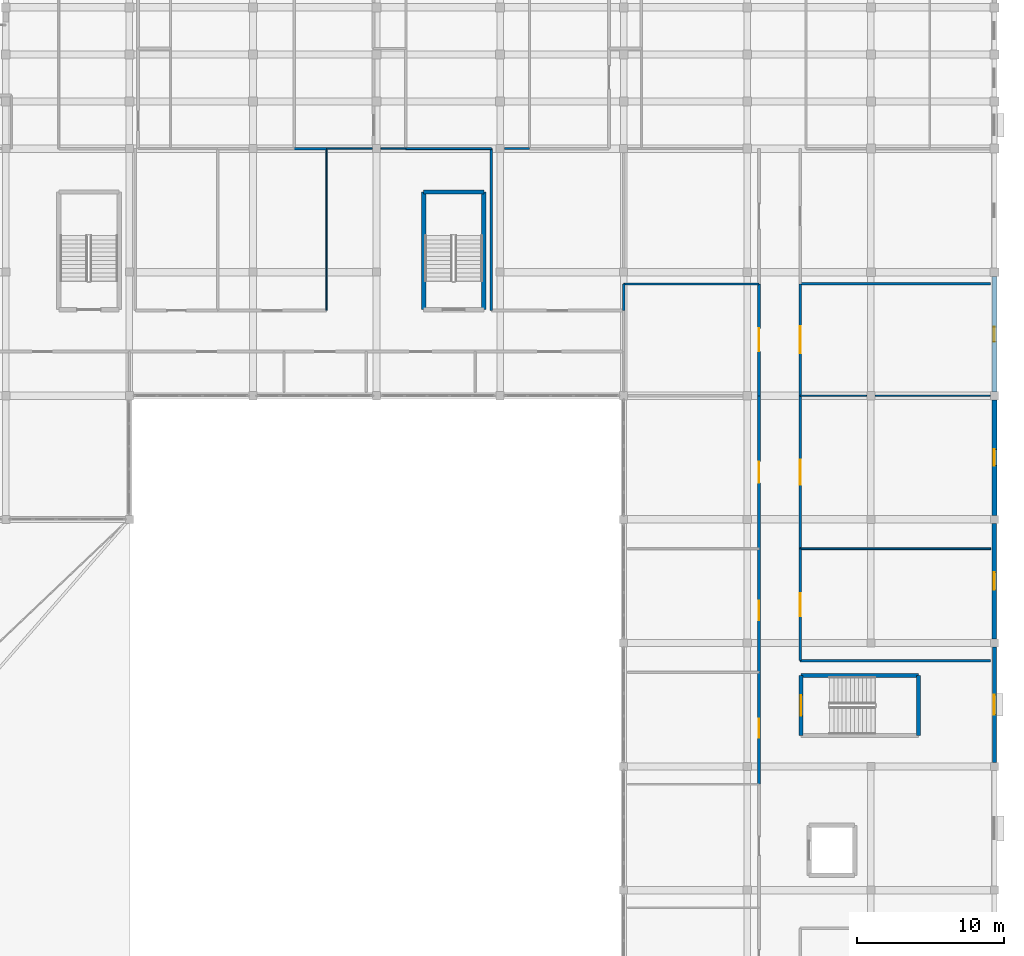
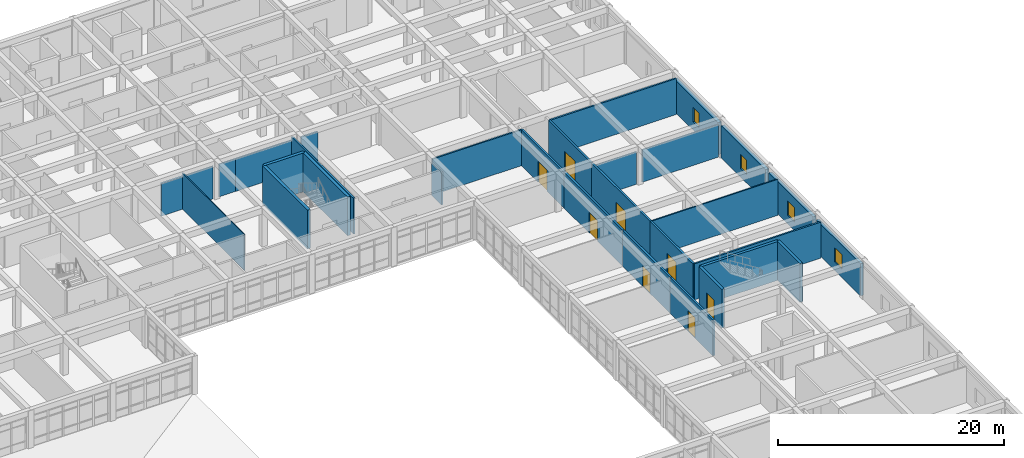
# One storey, part 57 of 77: 31 walls, 8 doors, 4 windows, 12 openings.
"""IFC4 building model written with IfcOpenShell, lengths in metres."""

from ifc_helpers import new_model, si_unit, direction, frame, frame_2d, origin, place, context, subcontext, project, spatial, rectangle, extrude, material, layer, layer_set, type_object, element, fill, save


model = new_model("IFC4")

# Units and contexts
model_context = context("Model", 3, precision=1e-05, world=origin(), true_north=direction((0.0, 1.0)))
body_context = subcontext(model_context, "Body", "Model", "MODEL_VIEW")
ifc_project = project(units=[si_unit("LENGTHUNIT", "METRE"), si_unit("AREAUNIT", "SQUARE_METRE"), si_unit("VOLUMEUNIT", "CUBIC_METRE"), si_unit("PLANEANGLEUNIT", "RADIAN"), si_unit("MASSUNIT", "GRAM", prefix="KILO")], contexts=[model_context])

# Site, building, storey
site_placement = place(None, origin())
site = spatial("IfcSite", under=ifc_project, at=site_placement, CompositionType="ELEMENT")
building_placement = place(site_placement, origin())
building = spatial("IfcBuilding", under=site, at=building_placement, Name="Varncliffe General Hospital", CompositionType="ELEMENT")
storey_placement = place(building_placement, frame((0.0, 0.0, 16.199951171875)))
storey = spatial("IfcBuildingStorey", under=building, at=storey_placement, Name="L03", CompositionType="ELEMENT", Elevation=16.199951171875)

# Wall, opening, window
ifc_material_1 = material(Name="Precast concrete C40/50 with insulated cream lime-cement stucco", Category="concrete")
ifc_layer_1 = layer(ifc_material_1, 0.31005859375)
ifc_layer_set_1 = layer_set([ifc_layer_1], Name="Precast concrete C40/50 with insulated cream lime-cement stucco")
wall_type_1 = type_object("IfcWallType", Name="Exterior Insulated Stucco Wall EW20 (310mm)", PredefinedType="SOLIDWALL", material=ifc_layer_set_1)
wall_1_placement = place(storey_placement, frame((176.39990234375, 74.126953125, 0.0), z_axis=(0.0, 0.0, 1.0), x_axis=(0.0, -1.0, 0.0)))
wall_1 = element("IfcWall", 1, at=wall_1_placement, inside=storey, type_object=wall_type_1, Name="L03 Exterior Stucco Wall EW20-266", PredefinedType="SOLIDWALL", context=body_context, shape_type="SweptSolid", body=[
    extrude(rectangle(XDim=7.85400390625, YDim=0.31005859375, at=frame_2d((3.927001953125, 0.0))), origin(), (0.0, 0.0, 1.0), 3.47998046875),
])
opening_1_placement = place(wall_1_placement, frame((3.326904296875, 0.0, 0.89990234375)))
opening_1 = element("IfcOpeningElement", 2, at=opening_1_placement, cuts=wall_1, Name="Opening WN33", PredefinedType="OPENING", context=body_context, shape_type="SweptSolid", body=[
    extrude(rectangle(XDim=1.199951171875, YDim=1.550048828125, at=frame_2d((0.60009765625, 0.77490234375))), frame((0.0, 0.1650390625, 0.0), z_axis=(0.0, -1.0, 0.0), x_axis=(1.0, 0.0, 0.0)), (0.0, 0.0, 1.0), 0.330078125),
])
ifc_material_2 = material(Name="Triple low-E argon insulated vision glazing", Category="glass")
window_type_1 = type_object("IfcWindowType", Name="Triple-Glazed Hospital Window WN33 (1200x1550)", PartitioningType="SINGLE_PANEL", PredefinedType="WINDOW", material=ifc_material_2)
window_1_placement = place(opening_1_placement, origin())
window_1 = element("IfcWindow", 3, at=window_1_placement, inside=storey, type_object=window_type_1, Name="L03 Hospital Window WN33-186", OverallHeight=1.550048828125, OverallWidth=1.199951171875, PartitioningType="SINGLE_PANEL", PredefinedType="WINDOW", context=body_context, shape_type="SweptSolid", body=[
    extrude(rectangle(XDim=1.199951171875, YDim=1.550048828125, at=frame_2d((0.60009765625, 0.77490234375))), frame((0.0, 0.030029296875, 0.0), z_axis=(0.0, -1.0, 0.0), x_axis=(1.0, 0.0, 0.0)), (0.0, 0.0, 1.0), 0.06005859375),
])
fill(opening_1, window_1)

ifc_layer_2 = layer(ifc_material_1, 0.2900390625)
ifc_layer_set_2 = layer_set([ifc_layer_2], Name="Precast concrete C40/50 with insulated cream lime-cement stucco")
wall_type_2 = type_object("IfcWallType", Name="Exterior Insulated Stucco Wall EW31 (290mm)", PredefinedType="SOLIDWALL", material=ifc_layer_set_2)
wall_2_placement = place(storey_placement, frame((176.39990234375, 65.72705078125, 0.0), z_axis=(0.0, 0.0, 1.0), x_axis=(0.0, -1.0, 0.0)))
wall_2 = element("IfcWall", 4, at=wall_2_placement, inside=storey, type_object=wall_type_2, Name="L03 Exterior Stucco Wall EW31-267", PredefinedType="SOLIDWALL", context=body_context, shape_type="SweptSolid", body=[
    extrude(rectangle(XDim=7.85400390625, YDim=0.2900390625, at=frame_2d((3.927001953125, 0.0))), origin(), (0.0, 0.0, 1.0), 3.47998046875),
])
opening_2_placement = place(wall_2_placement, frame((3.251953125, 0.0, 0.89990234375)))
opening_2 = element("IfcOpeningElement", 5, at=opening_2_placement, cuts=wall_2, Name="Opening WN24", PredefinedType="OPENING", context=body_context, shape_type="SweptSolid", body=[
    extrude(rectangle(XDim=1.35009765625, YDim=1.550048828125, at=frame_2d((0.675048828125, 0.77490234375))), frame((0.0, 0.155029296875, 0.0), z_axis=(0.0, -1.0, 0.0), x_axis=(1.0, 0.0, 0.0)), (0.0, 0.0, 1.0), 0.31005859375),
])
window_type_2 = type_object("IfcWindowType", Name="Triple-Glazed Hospital Window WN24 (1350x1550)", PartitioningType="SINGLE_PANEL", PredefinedType="WINDOW", material=ifc_material_2)
window_2_placement = place(opening_2_placement, origin())
window_2 = element("IfcWindow", 6, at=window_2_placement, inside=storey, type_object=window_type_2, Name="L03 Hospital Window WN24-187", OverallHeight=1.550048828125, OverallWidth=1.35009765625, PartitioningType="SINGLE_PANEL", PredefinedType="WINDOW", context=body_context, shape_type="SweptSolid", body=[
    extrude(rectangle(XDim=1.35009765625, YDim=1.550048828125, at=frame_2d((0.675048828125, 0.77490234375))), frame((0.0, 0.030029296875, 0.0), z_axis=(0.0, -1.0, 0.0), x_axis=(1.0, 0.0, 0.0)), (0.0, 0.0, 1.0), 0.06005859375),
])
fill(opening_2, window_2)

ifc_layer_3 = layer(ifc_material_1, 0.330078125)
ifc_layer_set_3 = layer_set([ifc_layer_3], Name="Precast concrete C40/50 with insulated cream lime-cement stucco")
wall_type_3 = type_object("IfcWallType", Name="Exterior Insulated Stucco Wall EW33 (330mm)", PredefinedType="SOLIDWALL", material=ifc_layer_set_3)
wall_3_placement = place(storey_placement, frame((176.39990234375, 82.527099609375, 0.0), z_axis=(0.0, 0.0, 1.0), x_axis=(0.0, -1.0, 0.0)))
wall_3 = element("IfcWall", 7, at=wall_3_placement, inside=storey, type_object=wall_type_3, Name="L03 Exterior Stucco Wall EW33-265", PredefinedType="SOLIDWALL", context=body_context, shape_type="SweptSolid", body=[
    extrude(rectangle(XDim=7.85400390625, YDim=0.330078125, at=frame_2d((3.927001953125, 0.0))), origin(), (0.0, 0.0, 1.0), 3.47998046875),
])
opening_3_placement = place(wall_3_placement, frame((3.376953125, 0.0, 0.89990234375)))
opening_3 = element("IfcOpeningElement", 8, at=opening_3_placement, cuts=wall_3, Name="Opening WN69", PredefinedType="OPENING", context=body_context, shape_type="SweptSolid", body=[
    extrude(rectangle(XDim=1.10009765625, YDim=1.550048828125, at=frame_2d((0.550048828125, 0.77490234375))), frame((0.0, 0.175048828125, 0.0), z_axis=(0.0, -1.0, 0.0), x_axis=(1.0, 0.0, 0.0)), (0.0, 0.0, 1.0), 0.35009765625),
])
window_type_3 = type_object("IfcWindowType", Name="Triple-Glazed Hospital Window WN69 (1100x1550)", PartitioningType="SINGLE_PANEL", PredefinedType="WINDOW", material=ifc_material_2)
window_3_placement = place(opening_3_placement, origin())
window_3 = element("IfcWindow", 9, at=window_3_placement, inside=storey, type_object=window_type_3, Name="L03 Hospital Window WN69-185", OverallHeight=1.550048828125, OverallWidth=1.10009765625, PartitioningType="SINGLE_PANEL", PredefinedType="WINDOW", context=body_context, shape_type="SweptSolid", body=[
    extrude(rectangle(XDim=1.10009765625, YDim=1.550048828125, at=frame_2d((0.550048828125, 0.77490234375))), frame((0.0, 0.030029296875, 0.0), z_axis=(0.0, -1.0, 0.0), x_axis=(1.0, 0.0, 0.0)), (0.0, 0.0, 1.0), 0.06005859375),
])
fill(opening_3, window_3)

ifc_layer_4 = layer(ifc_material_1, 0.35009765625)
ifc_layer_set_4 = layer_set([ifc_layer_4], Name="Precast concrete C40/50 with insulated cream lime-cement stucco")
wall_type_4 = type_object("IfcWallType", Name="Exterior Insulated Stucco Wall EW37 (350mm)", PredefinedType="SOLIDWALL", material=ifc_layer_set_4)
wall_4_placement = place(storey_placement, frame((176.39990234375, 90.902099609375, 0.0), z_axis=(0.0, 0.0, 1.0), x_axis=(0.0, -1.0, 0.0)))
wall_4 = element("IfcWall", 10, at=wall_4_placement, inside=storey, type_object=wall_type_4, Name="L03 Exterior Stucco Wall EW37-264", PredefinedType="SOLIDWALL", context=body_context, shape_type="SweptSolid", body=[
    extrude(rectangle(XDim=7.8291015625, YDim=0.35009765625, at=frame_2d((3.91455078125, 0.0))), origin(), (0.0, 0.0, 1.0), 3.47998046875),
])
opening_4_placement = place(wall_4_placement, frame((3.41455078125, 0.0, 0.89990234375)))
opening_4 = element("IfcOpeningElement", 11, at=opening_4_placement, cuts=wall_4, Name="Opening WN21", PredefinedType="OPENING", context=body_context, shape_type="SweptSolid", body=[
    extrude(rectangle(XDim=1.0, YDim=1.550048828125, at=frame_2d((0.5, 0.77490234375))), frame((0.0, 0.18505859375, 0.0), z_axis=(0.0, -1.0, 0.0), x_axis=(1.0, 0.0, 0.0)), (0.0, 0.0, 1.0), 0.3701171875),
])
window_type_4 = type_object("IfcWindowType", Name="Triple-Glazed Hospital Window WN21 (1000x1550)", PartitioningType="SINGLE_PANEL", PredefinedType="WINDOW", material=ifc_material_2)
window_4_placement = place(opening_4_placement, origin())
window_4 = element("IfcWindow", 12, at=window_4_placement, inside=storey, type_object=window_type_4, Name="L03 Hospital Window WN21-184", OverallHeight=1.550048828125, OverallWidth=1.0, PartitioningType="SINGLE_PANEL", PredefinedType="WINDOW", context=body_context, shape_type="SweptSolid", body=[
    extrude(rectangle(XDim=1.0, YDim=1.550048828125, at=frame_2d((0.5, 0.77490234375))), frame((0.0, 0.030029296875, 0.0), z_axis=(0.0, -1.0, 0.0), x_axis=(1.0, 0.0, 0.0)), (0.0, 0.0, 1.0), 0.06005859375),
])
fill(opening_4, window_4)

# Walls
ifc_material_3 = material(Name="Acoustic clinical gypsum stud partition assembly", Category="gypsum")
ifc_layer_5 = layer(ifc_material_3, 0.1298828125)
ifc_layer_set_5 = layer_set([ifc_layer_5], Name="Acoustic clinical gypsum stud partition assembly")
wall_type_5 = type_object("IfcWallType", Name="Interior Partitioning IW11 (130mm)", PredefinedType="PARTITIONING", material=ifc_layer_set_5)
wall_5_placement = place(storey_placement, frame((163.199951171875, 72.39990234375, 0.0), z_axis=(0.0, 0.0, 1.0), x_axis=(1.0, 0.0, 0.0)))
element("IfcWall", 13, at=wall_5_placement, inside=storey, type_object=wall_type_5, Name="L03 Interior Partition Wall IW11-1353", PredefinedType="PARTITIONING", context=body_context, shape_type="SweptSolid", body=[
    extrude(rectangle(XDim=12.93994140625, YDim=0.1298828125, at=frame_2d((6.469970703125, 0.0))), origin(), (0.0, 0.0, 1.0), 3.89013671875),
])
wall_6_placement = place(storey_placement, frame((136.39990234375, 99.60009765625, 0.0), z_axis=(0.0, 0.0, 1.0), x_axis=(1.0, 0.0, 0.0)))
element("IfcWall", 14, at=wall_6_placement, inside=storey, type_object=wall_type_5, Name="L03 Interior Partition Wall IW11-1438", PredefinedType="PARTITIONING", context=body_context, shape_type="SweptSolid", body=[
    extrude(rectangle(XDim=5.800048828125, YDim=0.1298828125, at=frame_2d((2.89990234375, 0.0))), origin(), (0.0, 0.0, 1.0), 3.53515625),
])
ifc_layer_6 = layer(ifc_material_3, 0.169921875)
ifc_layer_set_6 = layer_set([ifc_layer_6], Name="Acoustic clinical gypsum stud partition assembly")
wall_type_6 = type_object("IfcWallType", Name="Interior Partitioning IW20 (170mm)", PredefinedType="PARTITIONING", material=ifc_layer_set_6)
for number, where, z_axis, x_axis, name in (
    (15, (163.199951171875, 64.800048828125, 0.0), (0.0, 0.0, 1.0), (1.0, 0.0, 0.0), "L03 Interior Partition Wall IW20-1350"),
    (16, (163.199951171875, 90.39990234375, 0.0), (0.0, 0.0, 1.0), (1.0, 0.0, 0.0), "L03 Interior Partition Wall IW20-1395"),
):
    element("IfcWall", number, at=place(storey_placement, frame(where, z_axis=z_axis, x_axis=x_axis)), inside=storey, type_object=wall_type_6, Name=name, PredefinedType="PARTITIONING", context=body_context, shape_type="SweptSolid", body=[
        extrude(rectangle(XDim=12.93994140625, YDim=0.169921875, at=frame_2d((6.469970703125, 0.0))), origin(), (0.0, 0.0, 1.0), 3.89013671875),
    ])
wall_7_placement = place(storey_placement, frame((128.800048828125, 99.60009765625, 0.0), z_axis=(0.0, 0.0, 1.0), x_axis=(1.0, 0.0, 0.0)))
element("IfcWall", 17, at=wall_7_placement, inside=storey, type_object=wall_type_6, Name="L03 Interior Partition Wall IW20-1435", PredefinedType="PARTITIONING", context=body_context, shape_type="SweptSolid", body=[
    extrude(rectangle(XDim=2.199951171875, YDim=0.169921875, at=frame_2d((1.10009765625, 0.0))), origin(), (0.0, 0.0, 1.0), 3.53515625),
])
wall_8_placement = place(storey_placement, frame((142.199951171875, 88.60009765625, 0.0), z_axis=(0.0, 0.0, 1.0), x_axis=(0.0, 1.0, 0.0)))
element("IfcWall", 18, at=wall_8_placement, inside=storey, type_object=wall_type_6, Name="L03 Interior Partition Wall IW20-1625", PredefinedType="PARTITIONING", context=body_context, shape_type="SweptSolid", body=[
    extrude(rectangle(XDim=11.0, YDim=0.169921875, at=frame_2d((5.5, 0.0))), origin(), (0.0, 0.0, 1.0), 3.89013671875),
])
ifc_layer_7 = layer(ifc_material_3, 0.14990234375)
ifc_layer_set_7 = layer_set([ifc_layer_7], Name="Acoustic clinical gypsum stud partition assembly")
wall_type_7 = type_object("IfcWallType", Name="Interior Partitioning IW35 (150mm)", PredefinedType="PARTITIONING", material=ifc_layer_set_7)
wall_9_placement = place(storey_placement, frame((151.199951171875, 90.39990234375, 0.0), z_axis=(0.0, 0.0, 1.0), x_axis=(1.0, 0.0, 0.0)))
element("IfcWall", 19, at=wall_9_placement, inside=storey, type_object=wall_type_7, Name="L03 Interior Partition Wall IW35-1394", PredefinedType="PARTITIONING", context=body_context, shape_type="SweptSolid", body=[
    extrude(rectangle(XDim=9.199951171875, YDim=0.14990234375, at=frame_2d((4.60009765625, 0.0))), origin(), (0.0, 0.0, 1.0), 3.89013671875),
])
wall_10_placement = place(storey_placement, frame((143.090087890625, 99.60009765625, 0.0), z_axis=(0.0, 0.0, 1.0), x_axis=(1.0, 0.0, 0.0)))
element("IfcWall", 20, at=wall_10_placement, inside=storey, type_object=wall_type_7, Name="L03 Interior Partition Wall IW35-1439", PredefinedType="PARTITIONING", context=body_context, shape_type="SweptSolid", body=[
    extrude(rectangle(XDim=1.7099609375, YDim=0.14990234375, at=frame_2d((0.85498046875, 0.0))), origin(), (0.0, 0.0, 1.0), 3.53515625),
])
wall_11_placement = place(storey_placement, frame((151.199951171875, 88.60009765625, 0.0), z_axis=(0.0, 0.0, 1.0), x_axis=(0.0, 1.0, 0.0)))
element("IfcWall", 21, at=wall_11_placement, inside=storey, type_object=wall_type_7, Name="L03 Interior Partition Wall IW35-1639", PredefinedType="PARTITIONING", context=body_context, shape_type="SweptSolid", body=[
    extrude(rectangle(XDim=1.7998046875, YDim=0.14990234375, at=frame_2d((0.89990234375, 0.0))), origin(), (0.0, 0.0, 1.0), 3.5849609375),
])
ifc_layer_8 = layer(ifc_material_3, 0.090087890625)
ifc_layer_set_8 = layer_set([ifc_layer_8], Name="Acoustic clinical gypsum stud partition assembly")
wall_type_8 = type_object("IfcWallType", Name="Interior Partitioning IW42 (90mm)", PredefinedType="PARTITIONING", material=ifc_layer_set_8)
wall_12_placement = place(storey_placement, frame((168.2900390625, 82.800048828125, 0.0), z_axis=(0.0, 0.0, 1.0), x_axis=(1.0, 0.0, 0.0)))
element("IfcWall", 22, at=wall_12_placement, inside=storey, type_object=wall_type_8, Name="L03 Interior Partition Wall IW42-1361", PredefinedType="PARTITIONING", context=body_context, shape_type="SweptSolid", body=[
    extrude(rectangle(XDim=7.820068359375, YDim=0.090087890625, at=frame_2d((3.91015625, 0.0))), origin(), (0.0, 0.0, 1.0), 3.53515625),
])
wall_13_placement = place(storey_placement, frame((163.199951171875, 82.800048828125, 0.0), z_axis=(0.0, 0.0, 1.0), x_axis=(1.0, 0.0, 0.0)))
element("IfcWall", 23, at=wall_13_placement, inside=storey, type_object=wall_type_8, Name="L03 Interior Partition Wall IW42-1362", PredefinedType="PARTITIONING", context=body_context, shape_type="SweptSolid", body=[
    extrude(rectangle(XDim=4.510009765625, YDim=0.090087890625, at=frame_2d((2.2548828125, 0.0))), origin(), (0.0, 0.0, 1.0), 3.53515625),
])
wall_14_placement = place(storey_placement, frame((131.0, 99.60009765625, 0.0), z_axis=(0.0, 0.0, 1.0), x_axis=(1.0, 0.0, 0.0)))
element("IfcWall", 24, at=wall_14_placement, inside=storey, type_object=wall_type_8, Name="L03 Interior Partition Wall IW42-1436", PredefinedType="PARTITIONING", context=body_context, shape_type="SweptSolid", body=[
    extrude(rectangle(XDim=3.110107421875, YDim=0.090087890625, at=frame_2d((1.55517578125, 0.0))), origin(), (0.0, 0.0, 1.0), 3.53515625),
])
wall_15_placement = place(storey_placement, frame((131.0, 88.60009765625, 0.0), z_axis=(0.0, 0.0, 1.0), x_axis=(0.0, 1.0, 0.0)))
element("IfcWall", 25, at=wall_15_placement, inside=storey, type_object=wall_type_8, Name="L03 Interior Partition Wall IW42-1611", PredefinedType="PARTITIONING", context=body_context, shape_type="SweptSolid", body=[
    extrude(rectangle(XDim=11.0, YDim=0.090087890625, at=frame_2d((5.5, 0.0))), origin(), (0.0, 0.0, 1.0), 3.89013671875),
])
ifc_layer_9 = layer(ifc_material_3, 0.110107421875)
ifc_layer_set_9 = layer_set([ifc_layer_9], Name="Acoustic clinical gypsum stud partition assembly")
wall_type_9 = type_object("IfcWallType", Name="Interior Partitioning IW65 (110mm)", PredefinedType="PARTITIONING", material=ifc_layer_set_9)
wall_16_placement = place(storey_placement, frame((134.68994140625, 99.60009765625, 0.0), z_axis=(0.0, 0.0, 1.0), x_axis=(1.0, 0.0, 0.0)))
element("IfcWall", 26, at=wall_16_placement, inside=storey, type_object=wall_type_9, Name="L03 Interior Partition Wall IW65-1437", PredefinedType="PARTITIONING", context=body_context, shape_type="SweptSolid", body=[
    extrude(rectangle(XDim=1.7099609375, YDim=0.110107421875, at=frame_2d((0.85498046875, 0.0))), origin(), (0.0, 0.0, 1.0), 3.53515625),
])

# Wall, opening, door
ifc_material_4 = material(Name="Fire-rated gypsum and mineral-wool partition assembly", Category="gypsum")
ifc_layer_10 = layer(ifc_material_4, 0.199951171875)
ifc_layer_set_10 = layer_set([ifc_layer_10], Name="Fire-rated gypsum and mineral-wool partition assembly")
wall_type_10 = type_object("IfcWallType", Name="Interior Partitioning PW63 (200mm)", PredefinedType="PARTITIONING", material=ifc_layer_set_10)
wall_17_placement = place(storey_placement, frame((160.39990234375, 56.39990234375, 0.0), z_axis=(0.0, 0.0, 1.0), x_axis=(0.0, 1.0, 0.0)))
wall_17 = element("IfcWall", 27, at=wall_17_placement, inside=storey, type_object=wall_type_10, Name="L03 Interior Partition Wall PW63-1655", PredefinedType="PARTITIONING", context=body_context, shape_type="SweptSolid", body=[
    extrude(rectangle(XDim=7.60009765625, YDim=0.199951171875, at=frame_2d((3.800048828125, 0.0))), origin(), (0.0, 0.0, 1.0), 3.89013671875),
])
opening_5_placement = place(wall_17_placement, frame((3.14990234375, 0.0, 0.0)))
opening_5 = element("IfcOpeningElement", 28, at=opening_5_placement, cuts=wall_17, Name="Opening DC88", PredefinedType="OPENING", context=body_context, shape_type="SweptSolid", body=[
    extrude(rectangle(XDim=1.300048828125, YDim=2.199951171875, at=frame_2d((0.64990234375, 1.10009765625))), frame((0.0, 0.10986328125, 0.0), z_axis=(0.0, -1.0, 0.0), x_axis=(1.0, 0.0, 0.0)), (0.0, 0.0, 1.0), 0.219970703125),
])
ifc_material_5 = material(Name="Fire-rated hospital steel-frame vision-panel door", Category="steel")
door_type_1 = type_object("IfcDoorType", Name="Interior Hospital Door DC88 (1300x2200)", OperationType="NOTDEFINED", PredefinedType="DOOR", material=ifc_material_5)
door_1_placement = place(opening_5_placement, origin())
door_1 = element("IfcDoor", 29, at=door_1_placement, inside=storey, type_object=door_type_1, Name="L03 Renal Dialysis Treatment Bay 82 Door", OperationType="SINGLE_SWING_RIGHT", OverallHeight=2.199951171875, OverallWidth=1.300048828125, PredefinedType="DOOR", context=body_context, shape_type="SweptSolid", body=[
    extrude(rectangle(XDim=1.300048828125, YDim=2.199951171875, at=frame_2d((0.64990234375, 1.10009765625))), frame((0.0, 0.02490234375, 0.0), z_axis=(0.0, -1.0, 0.0), x_axis=(1.0, 0.0, 0.0)), (0.0, 0.0, 1.0), 0.050048828125),
])
fill(opening_5, door_1)

wall_18_placement = place(storey_placement, frame((160.39990234375, 64.0, 0.0), z_axis=(0.0, 0.0, 1.0), x_axis=(0.0, 1.0, 0.0)))
wall_18 = element("IfcWall", 30, at=wall_18_placement, inside=storey, type_object=wall_type_10, Name="L03 Interior Partition Wall PW63-1656", PredefinedType="PARTITIONING", context=body_context, shape_type="SweptSolid", body=[
    extrude(rectangle(XDim=8.39990234375, YDim=0.199951171875, at=frame_2d((4.199951171875, 0.0))), origin(), (0.0, 0.0, 1.0), 3.89013671875),
])
opening_6_placement = place(wall_18_placement, frame((3.52490234375, 0.0, 0.0)))
opening_6 = element("IfcOpeningElement", 31, at=opening_6_placement, cuts=wall_18, Name="Opening DC85", PredefinedType="OPENING", context=body_context, shape_type="SweptSolid", body=[
    extrude(rectangle(XDim=1.35009765625, YDim=2.199951171875, at=frame_2d((0.675048828125, 1.10009765625))), frame((0.0, 0.10986328125, 0.0), z_axis=(0.0, -1.0, 0.0), x_axis=(1.0, 0.0, 0.0)), (0.0, 0.0, 1.0), 0.219970703125),
])
door_type_2 = type_object("IfcDoorType", Name="Interior Hospital Door DC85 (1350x2200)", OperationType="NOTDEFINED", PredefinedType="DOOR", material=ifc_material_5)
door_2_placement = place(opening_6_placement, origin())
door_2 = element("IfcDoor", 32, at=door_2_placement, inside=storey, type_object=door_type_2, Name="L03 Oncology Chemotherapy Infusion Suite 83 Door", OperationType="SINGLE_SWING_LEFT", OverallHeight=2.199951171875, OverallWidth=1.35009765625, PredefinedType="DOOR", context=body_context, shape_type="SweptSolid", body=[
    extrude(rectangle(XDim=1.35009765625, YDim=2.199951171875, at=frame_2d((0.675048828125, 1.10009765625))), frame((0.0, 0.02490234375, 0.0), z_axis=(0.0, -1.0, 0.0), x_axis=(1.0, 0.0, 0.0)), (0.0, 0.0, 1.0), 0.050048828125),
])
fill(opening_6, door_2)

wall_19_placement = place(storey_placement, frame((160.39990234375, 72.39990234375, 0.0), z_axis=(0.0, 0.0, 1.0), x_axis=(0.0, 1.0, 0.0)))
wall_19 = element("IfcWall", 33, at=wall_19_placement, inside=storey, type_object=wall_type_10, Name="L03 Interior Partition Wall PW63-1657", PredefinedType="PARTITIONING", context=body_context, shape_type="SweptSolid", body=[
    extrude(rectangle(XDim=10.400146484375, YDim=0.199951171875, at=frame_2d((5.2001953125, 0.0))), origin(), (0.0, 0.0, 1.0), 3.89013671875),
])
opening_7_placement = place(wall_19_placement, frame((4.47509765625, 0.0, 0.0)))
opening_7 = element("IfcOpeningElement", 34, at=opening_7_placement, cuts=wall_19, Name="Opening DC66", PredefinedType="OPENING", context=body_context, shape_type="SweptSolid", body=[
    extrude(rectangle(XDim=1.449951171875, YDim=2.25, at=frame_2d((0.72509765625, 1.125))), frame((0.0, 0.10986328125, 0.0), z_axis=(0.0, -1.0, 0.0), x_axis=(1.0, 0.0, 0.0)), (0.0, 0.0, 1.0), 0.219970703125),
])
door_type_3 = type_object("IfcDoorType", Name="Interior Hospital Door DC66 (1450x2250)", OperationType="NOTDEFINED", PredefinedType="DOOR", material=ifc_material_5)
door_3_placement = place(opening_7_placement, origin())
door_3 = element("IfcDoor", 35, at=door_3_placement, inside=storey, type_object=door_type_3, Name="L03 Renal Dialysis Treatment Bay 84 Door", OperationType="SINGLE_SWING_RIGHT", OverallHeight=2.25, OverallWidth=1.449951171875, PredefinedType="DOOR", context=body_context, shape_type="SweptSolid", body=[
    extrude(rectangle(XDim=1.449951171875, YDim=2.25, at=frame_2d((0.72509765625, 1.125))), frame((0.0, 0.02490234375, 0.0), z_axis=(0.0, -1.0, 0.0), x_axis=(1.0, 0.0, 0.0)), (0.0, 0.0, 1.0), 0.050048828125),
])
fill(opening_7, door_3)

wall_20_placement = place(storey_placement, frame((160.39990234375, 82.800048828125, 0.0), z_axis=(0.0, 0.0, 1.0), x_axis=(0.0, 1.0, 0.0)))
wall_20 = element("IfcWall", 36, at=wall_20_placement, inside=storey, type_object=wall_type_10, Name="L03 Interior Partition Wall PW63-1658", PredefinedType="PARTITIONING", context=body_context, shape_type="SweptSolid", body=[
    extrude(rectangle(XDim=7.599853515625, YDim=0.199951171875, at=frame_2d((3.7998046875, 0.0))), origin(), (0.0, 0.0, 1.0), 3.89013671875),
])
opening_8_placement = place(wall_20_placement, frame((3.02490234375, 0.0, 0.0)))
opening_8 = element("IfcOpeningElement", 37, at=opening_8_placement, cuts=wall_20, Name="Opening DC67", PredefinedType="OPENING", context=body_context, shape_type="SweptSolid", body=[
    extrude(rectangle(XDim=1.550048828125, YDim=2.25, at=frame_2d((0.77490234375, 1.125))), frame((0.0, 0.10986328125, 0.0), z_axis=(0.0, -1.0, 0.0), x_axis=(1.0, 0.0, 0.0)), (0.0, 0.0, 1.0), 0.219970703125),
])
door_type_4 = type_object("IfcDoorType", Name="Interior Hospital Door DC67 (1550x2250)", OperationType="NOTDEFINED", PredefinedType="DOOR", material=ifc_material_5)
door_4_placement = place(opening_8_placement, origin())
door_4 = element("IfcDoor", 38, at=door_4_placement, inside=storey, type_object=door_type_4, Name="L03 Orthopaedic Inpatient Ward Suite 143 Door", OperationType="SINGLE_SWING_LEFT", OverallHeight=2.25, OverallWidth=1.550048828125, PredefinedType="DOOR", context=body_context, shape_type="SweptSolid", body=[
    extrude(rectangle(XDim=1.550048828125, YDim=2.25, at=frame_2d((0.77490234375, 1.125))), frame((0.0, 0.02490234375, 0.0), z_axis=(0.0, -1.0, 0.0), x_axis=(1.0, 0.0, 0.0)), (0.0, 0.0, 1.0), 0.050048828125),
])
fill(opening_8, door_4)

wall_21_placement = place(storey_placement, frame((163.199951171875, 64.800048828125, 0.0), z_axis=(0.0, 0.0, 1.0), x_axis=(0.0, 1.0, 0.0)))
wall_21 = element("IfcWall", 39, at=wall_21_placement, inside=storey, type_object=wall_type_10, Name="L03 Interior Partition Wall PW63-1665", PredefinedType="PARTITIONING", context=body_context, shape_type="SweptSolid", body=[
    extrude(rectangle(XDim=7.599853515625, YDim=0.199951171875, at=frame_2d((3.7998046875, 0.0))), origin(), (0.0, 0.0, 1.0), 3.89013671875),
])
opening_9_placement = place(wall_21_placement, frame((3.02490234375, 0.0, 0.0)))
opening_9 = element("IfcOpeningElement", 40, at=opening_9_placement, cuts=wall_21, Name="Opening DC67", PredefinedType="OPENING", context=body_context, shape_type="SweptSolid", body=[
    extrude(rectangle(XDim=1.550048828125, YDim=2.25, at=frame_2d((0.77490234375, 1.125))), frame((0.0, 0.10986328125, 0.0), z_axis=(0.0, -1.0, 0.0), x_axis=(1.0, 0.0, 0.0)), (0.0, 0.0, 1.0), 0.219970703125),
])
door_5_placement = place(opening_9_placement, frame((1.550048828125, 0.0, 0.0), z_axis=(0.0, 0.0, 1.0), x_axis=(-1.0, 0.0, 0.0)))
door_5 = element("IfcDoor", 41, at=door_5_placement, inside=storey, type_object=door_type_4, Name="L03 Renal Dialysis Treatment Bay 90 Door", OperationType="SINGLE_SWING_RIGHT", OverallHeight=2.25, OverallWidth=1.550048828125, PredefinedType="DOOR", context=body_context, shape_type="SweptSolid", body=[
    extrude(rectangle(XDim=1.550048828125, YDim=2.25, at=frame_2d((0.77490234375, 1.125))), frame((0.0, 0.02490234375, 0.0), z_axis=(0.0, -1.0, 0.0), x_axis=(1.0, 0.0, 0.0)), (0.0, 0.0, 1.0), 0.050048828125),
])
fill(opening_9, door_5)

wall_22_placement = place(storey_placement, frame((163.199951171875, 72.39990234375, 0.0), z_axis=(0.0, 0.0, 1.0), x_axis=(0.0, 1.0, 0.0)))
wall_22 = element("IfcWall", 42, at=wall_22_placement, inside=storey, type_object=wall_type_10, Name="L03 Interior Partition Wall PW63-1666", PredefinedType="PARTITIONING", context=body_context, shape_type="SweptSolid", body=[
    extrude(rectangle(XDim=10.400146484375, YDim=0.199951171875, at=frame_2d((5.2001953125, 0.0))), origin(), (0.0, 0.0, 1.0), 3.89013671875),
])
opening_10_placement = place(wall_22_placement, frame((4.35009765625, 0.0, 0.0)))
opening_10 = element("IfcOpeningElement", 43, at=opening_10_placement, cuts=wall_22, Name="Opening DC50", PredefinedType="OPENING", context=body_context, shape_type="SweptSolid", body=[
    extrude(rectangle(XDim=1.699951171875, YDim=2.300048828125, at=frame_2d((0.85009765625, 1.14990234375))), frame((0.0, 0.10986328125, 0.0), z_axis=(0.0, -1.0, 0.0), x_axis=(1.0, 0.0, 0.0)), (0.0, 0.0, 1.0), 0.219970703125),
])
door_type_5 = type_object("IfcDoorType", Name="Interior Hospital Door DC50 (1700x2300)", OperationType="NOTDEFINED", PredefinedType="DOOR", material=ifc_material_5)
door_6_placement = place(opening_10_placement, frame((1.699951171875, 0.0, 0.0), z_axis=(0.0, 0.0, 1.0), x_axis=(-1.0, 0.0, 0.0)))
door_6 = element("IfcDoor", 44, at=door_6_placement, inside=storey, type_object=door_type_5, Name="L03 Oncology Chemotherapy Infusion Suite 91 Door", OperationType="SINGLE_SWING_LEFT", OverallHeight=2.300048828125, OverallWidth=1.699951171875, PredefinedType="DOOR", context=body_context, shape_type="SweptSolid", body=[
    extrude(rectangle(XDim=1.699951171875, YDim=2.300048828125, at=frame_2d((0.85009765625, 1.14990234375))), frame((0.0, 0.02490234375, 0.0), z_axis=(0.0, -1.0, 0.0), x_axis=(1.0, 0.0, 0.0)), (0.0, 0.0, 1.0), 0.050048828125),
])
fill(opening_10, door_6)

wall_23_placement = place(storey_placement, frame((163.199951171875, 82.800048828125, 0.0), z_axis=(0.0, 0.0, 1.0), x_axis=(0.0, 1.0, 0.0)))
wall_23 = element("IfcWall", 45, at=wall_23_placement, inside=storey, type_object=wall_type_10, Name="L03 Interior Partition Wall PW63-1667", PredefinedType="PARTITIONING", context=body_context, shape_type="SweptSolid", body=[
    extrude(rectangle(XDim=7.599853515625, YDim=0.199951171875, at=frame_2d((3.7998046875, 0.0))), origin(), (0.0, 0.0, 1.0), 3.89013671875),
])
opening_11_placement = place(wall_23_placement, frame((2.875, 0.0, 0.0)))
opening_11 = element("IfcOpeningElement", 46, at=opening_11_placement, cuts=wall_23, Name="Opening DC38", PredefinedType="OPENING", context=body_context, shape_type="SweptSolid", body=[
    extrude(rectangle(XDim=1.85009765625, YDim=2.300048828125, at=frame_2d((0.925048828125, 1.14990234375))), frame((0.0, 0.10986328125, 0.0), z_axis=(0.0, -1.0, 0.0), x_axis=(1.0, 0.0, 0.0)), (0.0, 0.0, 1.0), 0.219970703125),
])
door_type_6 = type_object("IfcDoorType", Name="Interior Hospital Door DC38 (1850x2300)", OperationType="NOTDEFINED", PredefinedType="DOOR", material=ifc_material_5)
door_7_placement = place(opening_11_placement, frame((1.85009765625, 0.0, 0.0), z_axis=(0.0, 0.0, 1.0), x_axis=(-1.0, 0.0, 0.0)))
door_7 = element("IfcDoor", 47, at=door_7_placement, inside=storey, type_object=door_type_6, Name="L03 Orthopaedic Inpatient Ward Suite 145 Door", OperationType="SINGLE_SWING_RIGHT", OverallHeight=2.300048828125, OverallWidth=1.85009765625, PredefinedType="DOOR", context=body_context, shape_type="SweptSolid", body=[
    extrude(rectangle(XDim=1.85009765625, YDim=2.300048828125, at=frame_2d((0.925048828125, 1.14990234375))), frame((0.0, 0.02490234375, 0.0), z_axis=(0.0, -1.0, 0.0), x_axis=(1.0, 0.0, 0.0)), (0.0, 0.0, 1.0), 0.050048828125),
])
fill(opening_11, door_7)

# Walls
ifc_material_6 = material(Name="Concrete C40/50 (CSA A23.1 40 MPa)", Category="concrete")
ifc_layer_11 = layer(ifc_material_6, 0.300048828125)
ifc_layer_set_11 = layer_set([ifc_layer_11], Name="Concrete C40/50 (CSA A23.1 40 MPa)")
wall_type_11 = type_object("IfcWallType", Name="Reinforced Concrete Core Shear Wall CW12 (300mm)", PredefinedType="SHEAR", material=ifc_layer_set_11)
wall_24_placement = place(storey_placement, frame((141.699951171875, 88.64990234375, 0.0), z_axis=(0.0, 0.0, 1.0), x_axis=(0.0, 1.0, 0.0)))
element("IfcWall", 48, at=wall_24_placement, inside=storey, type_object=wall_type_11, Name="L03 ST14 Core Shear Wall L", PredefinedType="SHEAR", context=body_context, shape_type="SweptSolid", body=[
    extrude(rectangle(XDim=8.0, YDim=0.300048828125, at=frame_2d((4.0, 0.0))), origin(), (0.0, 0.0, 1.0), 4.199951171875),
])
wall_25_placement = place(storey_placement, frame((141.699951171875, 96.64990234375, 0.0), z_axis=(0.0, 0.0, 1.0), x_axis=(-1.0, 0.0, 0.0)))
element("IfcWall", 49, at=wall_25_placement, inside=storey, type_object=wall_type_11, Name="L03 ST14 Core Shear Wall F", PredefinedType="SHEAR", context=body_context, shape_type="SweptSolid", body=[
    extrude(rectangle(XDim=4.099853515625, YDim=0.300048828125, at=frame_2d((2.0498046875, 0.0))), origin(), (0.0, 0.0, 1.0), 4.199951171875),
])
wall_26_placement = place(storey_placement, frame((137.60009765625, 96.64990234375, 0.0), z_axis=(0.0, 0.0, 1.0), x_axis=(0.0, -1.0, 0.0)))
element("IfcWall", 50, at=wall_26_placement, inside=storey, type_object=wall_type_11, Name="L03 ST14 Core Shear Wall R", PredefinedType="SHEAR", context=body_context, shape_type="SweptSolid", body=[
    extrude(rectangle(XDim=8.0, YDim=0.300048828125, at=frame_2d((4.0, 0.0))), origin(), (0.0, 0.0, 1.0), 4.199951171875),
])
ifc_layer_12 = layer(ifc_material_6, 0.280029296875)
ifc_layer_set_12 = layer_set([ifc_layer_12], Name="Concrete C40/50 (CSA A23.1 40 MPa)")
wall_type_12 = type_object("IfcWallType", Name="Reinforced Concrete Core Shear Wall CW13 (280mm)", PredefinedType="SHEAR", material=ifc_layer_set_12)
wall_27_placement = place(storey_placement, frame((171.239990234375, 59.7099609375, 0.0), z_axis=(0.0, 0.0, 1.0), x_axis=(0.0, 1.0, 0.0)))
element("IfcWall", 51, at=wall_27_placement, inside=storey, type_object=wall_type_12, Name="L03 ST07 Core Shear Wall F", PredefinedType="SHEAR", context=body_context, shape_type="SweptSolid", body=[
    extrude(rectangle(XDim=4.080078125, YDim=0.280029296875, at=frame_2d((2.0400390625, 0.0))), origin(), (0.0, 0.0, 1.0), 4.199951171875),
])
wall_28_placement = place(storey_placement, frame((171.239990234375, 63.7900390625, 0.0), z_axis=(0.0, 0.0, 1.0), x_axis=(-1.0, 0.0, 0.0)))
element("IfcWall", 52, at=wall_28_placement, inside=storey, type_object=wall_type_12, Name="L03 ST07 Core Shear Wall R", PredefinedType="SHEAR", context=body_context, shape_type="SweptSolid", body=[
    extrude(rectangle(XDim=7.97998046875, YDim=0.280029296875, at=frame_2d((3.989990234375, 0.0))), origin(), (0.0, 0.0, 1.0), 4.199951171875),
])

# Wall, opening, door
wall_29_placement = place(storey_placement, frame((163.260009765625, 63.7900390625, 0.0), z_axis=(0.0, 0.0, 1.0), x_axis=(0.0, -1.0, 0.0)))
wall_29 = element("IfcWall", 53, at=wall_29_placement, inside=storey, type_object=wall_type_12, Name="L03 ST07 Core Shear Wall N", PredefinedType="SHEAR", context=body_context, shape_type="SweptSolid", body=[
    extrude(rectangle(XDim=4.080078125, YDim=0.280029296875, at=frame_2d((2.0400390625, 0.0))), origin(), (0.0, 0.0, 1.0), 4.199951171875),
])
opening_12_placement = place(wall_29_placement, frame((1.340087890625, 0.0, 0.0)))
opening_12 = element("IfcOpeningElement", 54, at=opening_12_placement, cuts=wall_29, Name="Opening DF81", PredefinedType="OPENING", context=body_context, shape_type="SweptSolid", body=[
    extrude(rectangle(XDim=1.39990234375, YDim=2.199951171875, at=frame_2d((0.699951171875, 1.10009765625))), frame((0.0, 0.14990234375, 0.0), z_axis=(0.0, -1.0, 0.0), x_axis=(1.0, 0.0, 0.0)), (0.0, 0.0, 1.0), 0.300048828125),
])
door_type_7 = type_object("IfcDoorType", Name="Interior Hospital Door DF81 (1400x2200)", OperationType="NOTDEFINED", PredefinedType="DOOR", material=ifc_material_5)
door_8_placement = place(opening_12_placement, frame((1.39990234375, 0.0, 0.0), z_axis=(0.0, 0.0, 1.0), x_axis=(-1.0, 0.0, 0.0)))
door_8 = element("IfcDoor", 55, at=door_8_placement, inside=storey, type_object=door_type_7, Name="L03 ST07 Protected Exit Stair Door", OperationType="SINGLE_SWING_LEFT", OverallHeight=2.199951171875, OverallWidth=1.39990234375, PredefinedType="DOOR", context=body_context, shape_type="SweptSolid", body=[
    extrude(rectangle(XDim=1.39990234375, YDim=2.199951171875, at=frame_2d((0.699951171875, 1.10009765625))), frame((0.0, 0.02490234375, 0.0), z_axis=(0.0, -1.0, 0.0), x_axis=(1.0, 0.0, 0.0)), (0.0, 0.0, 1.0), 0.050048828125),
])
fill(opening_12, door_8)

save(model, "model.ifc")
